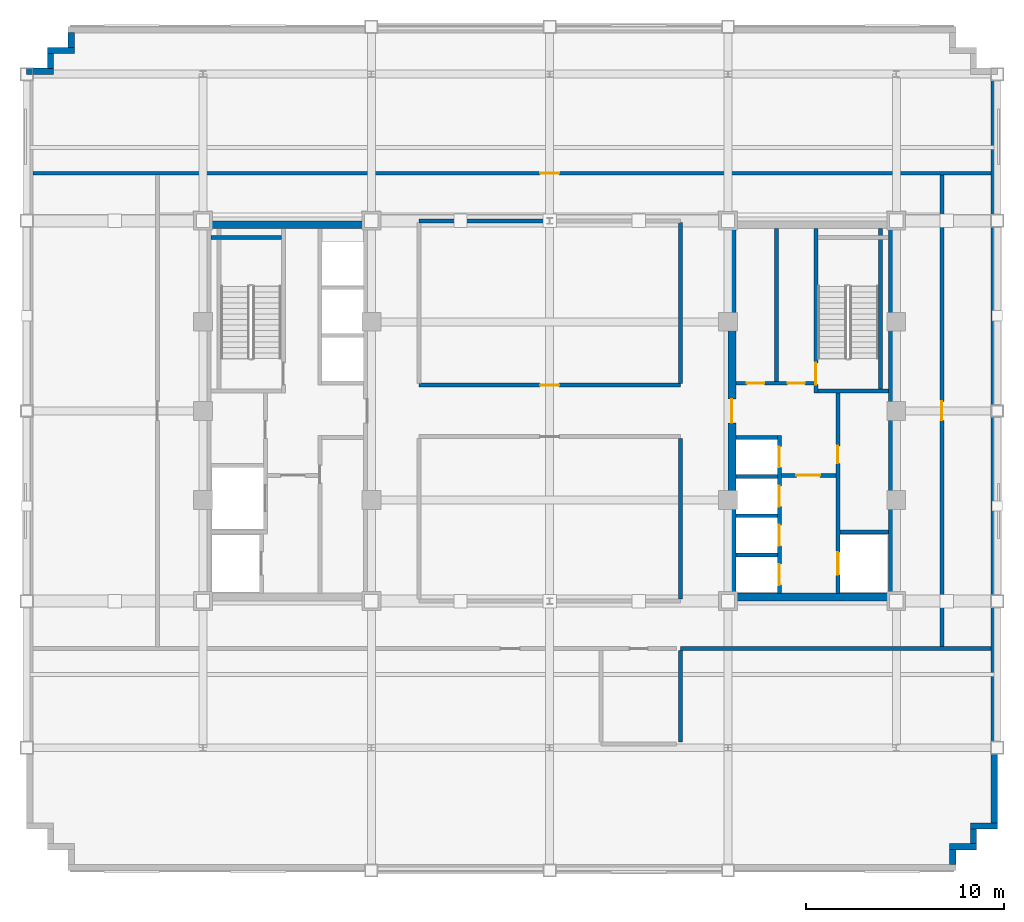
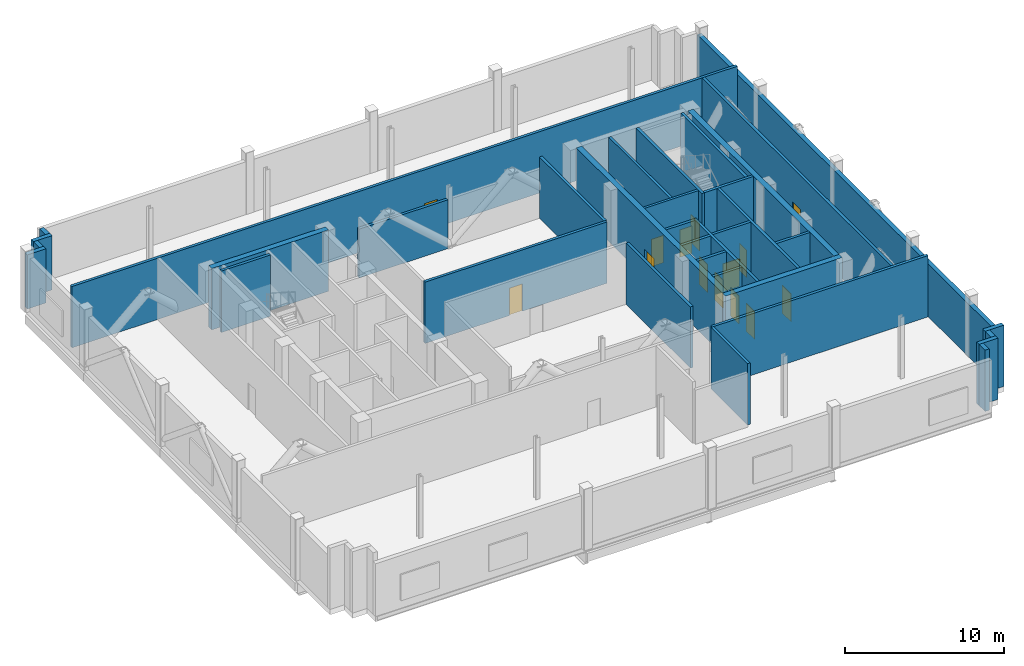
# One storey, part 8 of 13: 35 walls, 14 doors, 14 openings.
"""IFC4 building model written with IfcOpenShell, lengths in metres."""

from ifc_helpers import new_model, si_unit, direction, frame, frame_2d, origin, place, context, subcontext, project, spatial, rectangle, extrude, source, transform, mapped, material, layer, layer_set, type_object, type_shapes, element, fill, save


model = new_model("IFC4")

# Units and contexts
model_context = context("Model", 3, precision=1e-05, world=origin(), true_north=direction((0.0, 1.0)))
body_context = subcontext(model_context, "Body", "Model", "MODEL_VIEW")
ifc_project = project(units=[si_unit("LENGTHUNIT", "METRE"), si_unit("AREAUNIT", "SQUARE_METRE"), si_unit("VOLUMEUNIT", "CUBIC_METRE"), si_unit("PLANEANGLEUNIT", "RADIAN"), si_unit("MASSUNIT", "GRAM", prefix="KILO")], contexts=[model_context])

# Site, building, storey
site_placement = place(None, origin())
site = spatial("IfcSite", under=ifc_project, at=site_placement, CompositionType="ELEMENT")
building_placement = place(site_placement, origin())
building = spatial("IfcBuilding", under=site, at=building_placement, Name="Nuvemarco Arch Tower", CompositionType="ELEMENT")
storey_placement = place(building_placement, frame((0.0, 0.0, 185.89990234375)))
storey = spatial("IfcBuildingStorey", under=building, at=storey_placement, Name="L49", CompositionType="ELEMENT", Elevation=185.89990234375)

# Walls
ifc_material_1 = material(Name="Precast concrete C45/55", Category="concrete")
ifc_layer_1 = layer(ifc_material_1, 0.31005859375, Name="EW-UPP-310")
ifc_layer_set_1 = layer_set([ifc_layer_1], Name="Precast concrete C45/55")
wall_type_1 = type_object("IfcWallType", Name="EW-UPP-310", PredefinedType="STANDARD", material=ifc_layer_set_1)
wall_1_placement = place(storey_placement, frame((20.344970703125, -22.89404296875, 0.0), z_axis=(0.0, 0.0, 1.0), x_axis=(0.0, 1.0, 0.0)))
element("IfcWall", 1, at=wall_1_placement, inside=storey, type_object=wall_type_1, Name="L49 exterior precast facade wall 2", PredefinedType="STANDARD", context=body_context, shape_type="SweptSolid", body=[
    extrude(rectangle(XDim=0.748046875, YDim=0.31005859375, at=frame_2d((0.3740234375, 0.0))), origin(), (0.0, 0.0, 1.0), 4.710205078125),
])
wall_2_placement = place(storey_placement, frame((20.18994140625, -21.9951171875, 0.0), z_axis=(0.0, 0.0, 1.0), x_axis=(1.0, 0.0, 0.0)))
element("IfcWall", 2, at=wall_2_placement, inside=storey, type_object=wall_type_1, Name="L49 exterior precast facade wall 3", PredefinedType="STANDARD", context=body_context, shape_type="SweptSolid", body=[
    extrude(rectangle(XDim=1.360107421875, YDim=0.31005859375, at=frame_2d((0.68017578125, 0.0))), origin(), (0.0, 0.0, 1.0), 4.710205078125),
])
wall_3_placement = place(storey_placement, frame((21.39501953125, -21.843994140625, 0.0), z_axis=(0.0, 0.0, 1.0), x_axis=(0.0, 1.0, 0.0)))
element("IfcWall", 3, at=wall_3_placement, inside=storey, type_object=wall_type_1, Name="L49 exterior precast facade wall 4", PredefinedType="STANDARD", context=body_context, shape_type="SweptSolid", body=[
    extrude(rectangle(XDim=0.748046875, YDim=0.31005859375, at=frame_2d((0.3740234375, 0.0))), origin(), (0.0, 0.0, 1.0), 4.710205078125),
])
wall_4_placement = place(storey_placement, frame((21.239990234375, -20.945068359375, 0.0), z_axis=(0.0, 0.0, 1.0), x_axis=(1.0, 0.0, 0.0)))
element("IfcWall", 4, at=wall_4_placement, inside=storey, type_object=wall_type_1, Name="L49 exterior precast facade wall 5", PredefinedType="STANDARD", context=body_context, shape_type="SweptSolid", body=[
    extrude(rectangle(XDim=1.360107421875, YDim=0.31005859375, at=frame_2d((0.68017578125, 0.0))), origin(), (0.0, 0.0, 1.0), 4.710205078125),
])
wall_5_placement = place(storey_placement, frame((22.445068359375, -20.7939453125, 0.0), z_axis=(0.0, 0.0, 1.0), x_axis=(0.0, 1.0, 0.0)))
element("IfcWall", 5, at=wall_5_placement, inside=storey, type_object=wall_type_1, Name="L49 exterior precast facade wall 6", PredefinedType="STANDARD", context=body_context, shape_type="SweptSolid", body=[
    extrude(rectangle(XDim=37.787841796875, YDim=0.31005859375, at=frame_2d((18.89404296875, 0.0))), origin(), (0.0, 0.0, 1.0), 4.05517578125),
])
wall_6_placement = place(storey_placement, frame((-24.14501953125, 18.345947265625, 0.0), z_axis=(0.0, 0.0, 1.0), x_axis=(0.0, 1.0, 0.0)))
element("IfcWall", 6, at=wall_6_placement, inside=storey, type_object=wall_type_1, Name="L49 exterior precast facade wall 12", PredefinedType="STANDARD", context=body_context, shape_type="SweptSolid", body=[
    extrude(rectangle(XDim=0.748046875, YDim=0.31005859375, at=frame_2d((0.3740234375, 0.0))), origin(), (0.0, 0.0, 1.0), 4.166015625),
])
wall_7_placement = place(storey_placement, frame((-25.35009765625, 18.195068359375, 0.0), z_axis=(0.0, 0.0, 1.0), x_axis=(1.0, 0.0, 0.0)))
element("IfcWall", 7, at=wall_7_placement, inside=storey, type_object=wall_type_1, Name="L49 exterior precast facade wall 13", PredefinedType="STANDARD", context=body_context, shape_type="SweptSolid", body=[
    extrude(rectangle(XDim=1.360107421875, YDim=0.31005859375, at=frame_2d((0.68017578125, 0.0))), origin(), (0.0, 0.0, 1.0), 4.166015625),
])
wall_8_placement = place(storey_placement, frame((-25.195068359375, 17.2958984375, 0.0), z_axis=(0.0, 0.0, 1.0), x_axis=(0.0, 1.0, 0.0)))
element("IfcWall", 8, at=wall_8_placement, inside=storey, type_object=wall_type_1, Name="L49 exterior precast facade wall 14", PredefinedType="STANDARD", context=body_context, shape_type="SweptSolid", body=[
    extrude(rectangle(XDim=0.748046875, YDim=0.31005859375, at=frame_2d((0.3740234375, 0.0))), origin(), (0.0, 0.0, 1.0), 4.166015625),
])
wall_9_placement = place(storey_placement, frame((-26.39990234375, 17.14501953125, 0.0), z_axis=(0.0, 0.0, 1.0), x_axis=(1.0, 0.0, 0.0)))
element("IfcWall", 9, at=wall_9_placement, inside=storey, type_object=wall_type_1, Name="L49 exterior precast facade wall 15", PredefinedType="STANDARD", context=body_context, shape_type="SweptSolid", body=[
    extrude(rectangle(XDim=1.35986328125, YDim=0.31005859375, at=frame_2d((0.679931640625, 0.0))), origin(), (0.0, 0.0, 1.0), 4.166015625),
])
ifc_material_2 = material(Name="Concrete C60/75", Category="concrete")
ifc_layer_2 = layer(ifc_material_2, 0.39990234375, Name="WL-CORE-400")
ifc_layer_set_2 = layer_set([ifc_layer_2], Name="Concrete C60/75")
wall_type_2 = type_object("IfcWallType", Name="WL-CORE-400", PredefinedType="SHEAR", material=ifc_layer_set_2)
for number, where, z_axis, x_axis, name in (
    (10, (-17.5, 9.39990234375, 0.0), (0.0, 0.0, 1.0), (1.0, 0.0, 0.0), "L49 W-core shear wall N"),
    (11, (9.0, -9.39990234375, 0.0), (0.0, 0.0, 1.0), (1.0, 0.0, 0.0), "L49 E-core shear wall S"),
):
    element("IfcWall", number, at=place(storey_placement, frame(where, z_axis=z_axis, x_axis=x_axis)), inside=storey, type_object=wall_type_2, Name=name, PredefinedType="SHEAR", context=body_context, shape_type="SweptSolid", body=[
        extrude(rectangle(XDim=8.5, YDim=0.39990234375, at=frame_2d((4.25, 0.0))), origin(), (0.0, 0.0, 1.0), 4.72021484375),
    ])

# Wall, opening, door
wall_10_placement = place(storey_placement, frame((9.199951171875, -9.205078125, 0.0), z_axis=(0.0, 0.0, 1.0), x_axis=(0.0, 1.0, 0.0)))
wall_10 = element("IfcWall", 12, at=wall_10_placement, inside=storey, type_object=wall_type_2, Name="L49 E-core shear wall W", PredefinedType="SHEAR", context=body_context, shape_type="SweptSolid", body=[
    extrude(rectangle(XDim=18.41015625, YDim=0.39990234375, at=frame_2d((9.205078125, 0.0))), origin(), (0.0, 0.0, 1.0), 4.72021484375),
])
opening_1_placement = place(wall_10_placement, frame((8.60498046875, 0.0, 0.0)))
opening_1 = element("IfcOpeningElement", 13, at=opening_1_placement, cuts=wall_10, Name="Opening FD-2", PredefinedType="OPENING", context=body_context, shape_type="SweptSolid", body=[
    extrude(rectangle(XDim=1.199951171875, YDim=2.14990234375, at=frame_2d((0.60009765625, 1.074951171875))), frame((0.0, 0.2099609375, 0.0), z_axis=(0.0, -1.0, 0.0), x_axis=(1.0, 0.0, 0.0)), (0.0, 0.0, 1.0), 0.419921875),
])
ifc_material_3 = material(Name="Anodised steel fire door", Category="steel")
door_type_1 = type_object("IfcDoorType", Name="DR-FFLOB-FD", OperationType="NOTDEFINED", PredefinedType="DOOR", material=ifc_material_3)
shared_shape_1 = source(origin(), body_context, "Body", "SweptSolid", [
    extrude(rectangle(XDim=1.199951171875, YDim=2.14990234375, at=frame_2d((0.60009765625, 1.074951171875))), frame((0.0, 0.02490234375, 0.0), z_axis=(0.0, -1.0, 0.0), x_axis=(1.0, 0.0, 0.0)), (0.0, 0.0, 1.0), 0.050048828125),
])
type_shapes(door_type_1, [shared_shape_1])
door_1_placement = place(opening_1_placement, origin())
door_1 = element("IfcDoor", 14, at=door_1_placement, inside=storey, type_object=door_type_1, Name="L49 door FD-L49-ECORE-W", OperationType="SINGLE_SWING_LEFT", OverallHeight=2.14990234375, OverallWidth=1.199951171875, PredefinedType="DOOR", context=body_context, shape_type="MappedRepresentation", body=[
    mapped(shared_shape_1, transform((0.0, 0.0, 0.0), scale=1.0)),
])
fill(opening_1, door_1)

# Wall
wall_11_placement = place(storey_placement, frame((17.300048828125, -9.205078125, 0.0), z_axis=(0.0, 0.0, 1.0), x_axis=(0.0, 1.0, 0.0)))
element("IfcWall", 15, at=wall_11_placement, inside=storey, type_object=wall_type_2, Name="L49 E-core shear wall E", PredefinedType="SHEAR", context=body_context, shape_type="SweptSolid", body=[
    extrude(rectangle(XDim=18.41015625, YDim=0.39990234375, at=frame_2d((9.205078125, 0.0))), origin(), (0.0, 0.0, 1.0), 4.72021484375),
])

# Wall, openings, doors
ifc_material_4 = material(Name="Fire-rated gypsum drywall partition")
ifc_layer_3 = layer(ifc_material_4, 0.179931640625, Name="WL-CORR-180")
ifc_layer_set_3 = layer_set([ifc_layer_3], Name="Fire-rated gypsum drywall partition")
wall_type_3 = type_object("IfcWallType", Name="WL-CORR-180", PredefinedType="PARTITIONING", material=ifc_layer_set_3)
wall_12_placement = place(storey_placement, frame((9.39501953125, 1.39990234375, 0.0), z_axis=(0.0, 0.0, 1.0), x_axis=(1.0, 0.0, 0.0)))
wall_12 = element("IfcWall", 16, at=wall_12_placement, inside=storey, type_object=wall_type_3, Name="L49 interior wall IW-L49-EK-S", PredefinedType="PARTITIONING", context=body_context, shape_type="SweptSolid", body=[
    extrude(rectangle(XDim=3.949951171875, YDim=0.179931640625, at=frame_2d((1.97509765625, 0.0))), origin(), (0.0, 0.0, 1.0), 4.710205078125),
])
opening_2_placement = place(wall_12_placement, frame((0.56494140625, 0.0, 0.0)))
opening_2 = element("IfcOpeningElement", 17, at=opening_2_placement, cuts=wall_12, Name="Opening FD-4", PredefinedType="OPENING", context=body_context, shape_type="SweptSolid", body=[
    extrude(rectangle(XDim=0.8798828125, YDim=2.10009765625, at=frame_2d((0.43994140625, 1.050048828125))), frame((0.0, 0.099853515625, 0.0), z_axis=(0.0, -1.0, 0.0), x_axis=(1.0, 0.0, 0.0)), (0.0, 0.0, 1.0), 0.199951171875),
])
opening_3_placement = place(wall_12_placement, frame((2.614990234375, 0.0, 0.0)))
opening_3 = element("IfcOpeningElement", 18, at=opening_3_placement, cuts=wall_12, Name="Opening FD-4", PredefinedType="OPENING", context=body_context, shape_type="SweptSolid", body=[
    extrude(rectangle(XDim=0.8798828125, YDim=2.10009765625, at=frame_2d((0.43994140625, 1.050048828125))), frame((0.0, 0.099853515625, 0.0), z_axis=(0.0, -1.0, 0.0), x_axis=(1.0, 0.0, 0.0)), (0.0, 0.0, 1.0), 0.199951171875),
])
door_type_2 = type_object("IfcDoorType", Name="DR-RISER-FD", OperationType="NOTDEFINED", PredefinedType="DOOR", material=ifc_material_3)
shared_shape_2 = source(origin(), body_context, "Body", "SweptSolid", [
    extrude(rectangle(XDim=0.8798828125, YDim=2.10009765625, at=frame_2d((0.43994140625, 1.050048828125))), frame((0.0, 0.02490234375, 0.0), z_axis=(0.0, -1.0, 0.0), x_axis=(1.0, 0.0, 0.0)), (0.0, 0.0, 1.0), 0.050048828125),
])
type_shapes(door_type_2, [shared_shape_2])
door_2_placement = place(opening_2_placement, origin())
door_2 = element("IfcDoor", 19, at=door_2_placement, inside=storey, type_object=door_type_2, Name="L49 door FD-L49-EK2A", OperationType="SINGLE_SWING_RIGHT", OverallHeight=2.10009765625, OverallWidth=0.8798828125, PredefinedType="DOOR", context=body_context, shape_type="MappedRepresentation", body=[
    mapped(shared_shape_2, transform((0.0, 0.0, 0.0), scale=1.0)),
])
fill(opening_2, door_2)
door_3_placement = place(opening_3_placement, origin())
door_3 = element("IfcDoor", 20, at=door_3_placement, inside=storey, type_object=door_type_2, Name="L49 door FD-L49-EK2B", OperationType="SINGLE_SWING_LEFT", OverallHeight=2.10009765625, OverallWidth=0.8798828125, PredefinedType="DOOR", context=body_context, shape_type="MappedRepresentation", body=[
    mapped(shared_shape_2, transform((0.0, 0.0, 0.0), scale=1.0)),
])
fill(opening_3, door_3)

# Walls
wall_13_placement = place(storey_placement, frame((11.449951171875, 1.489990234375, 0.0), z_axis=(0.0, 0.0, 1.0), x_axis=(0.0, 1.0, 0.0)))
element("IfcWall", 21, at=wall_13_placement, inside=storey, type_object=wall_type_3, Name="L49 interior wall IW-L49-EK2", PredefinedType="PARTITIONING", context=body_context, shape_type="SweptSolid", body=[
    extrude(rectangle(XDim=7.715087890625, YDim=0.179931640625, at=frame_2d((3.857421875, 0.0))), origin(), (0.0, 0.0, 1.0), 4.710205078125),
])
ifc_layer_4 = layer(ifc_material_1, 0.199951171875, Name="WL-PLANT-200")
ifc_layer_set_4 = layer_set([ifc_layer_4], Name="Precast concrete C45/55")
wall_type_4 = type_object("IfcWallType", Name="WL-PLANT-200", PredefinedType="STANDARD", material=ifc_layer_set_4)
wall_14_placement = place(storey_placement, frame((6.60009765625, -12.0, 0.0), z_axis=(0.0, 0.0, 1.0), x_axis=(1.0, 0.0, 0.0)))
element("IfcWall", 22, at=wall_14_placement, inside=storey, type_object=wall_type_4, Name="L49 interior wall IW-L49-003", PredefinedType="STANDARD", context=body_context, shape_type="SweptSolid", body=[
    extrude(rectangle(XDim=15.68994140625, YDim=0.199951171875, at=frame_2d((7.844970703125, 0.0))), origin(), (0.0, 0.0, 1.0), 4.710205078125),
])

# Wall, opening, door
wall_15_placement = place(storey_placement, frame((-6.60009765625, 1.300048828125, 0.0), z_axis=(0.0, 0.0, 1.0), x_axis=(1.0, 0.0, 0.0)))
wall_15 = element("IfcWall", 23, at=wall_15_placement, inside=storey, type_object=wall_type_4, Name="L49 interior wall IW-L49-007", PredefinedType="STANDARD", context=body_context, shape_type="SweptSolid", body=[
    extrude(rectangle(XDim=13.2001953125, YDim=0.199951171875, at=frame_2d((6.60009765625, 0.0))), origin(), (0.0, 0.0, 1.0), 4.710205078125),
])
opening_4_placement = place(wall_15_placement, frame((6.1201171875, 0.0, 0.0)))
opening_4 = element("IfcOpeningElement", 24, at=opening_4_placement, cuts=wall_15, Name="Opening FD-5", PredefinedType="OPENING", context=body_context, shape_type="SweptSolid", body=[
    extrude(rectangle(XDim=0.9599609375, YDim=2.10009765625, at=frame_2d((0.47998046875, 1.050048828125))), frame((0.0, 0.10986328125, 0.0), z_axis=(0.0, -1.0, 0.0), x_axis=(1.0, 0.0, 0.0)), (0.0, 0.0, 1.0), 0.219970703125),
])
ifc_material_5 = material(Name="Timber fire door", Category="wood")
door_type_3 = type_object("IfcDoorType", Name="DR-CORR-FD", OperationType="NOTDEFINED", PredefinedType="DOOR", material=ifc_material_5)
shared_shape_3 = source(origin(), body_context, "Body", "SweptSolid", [
    extrude(rectangle(XDim=0.9599609375, YDim=2.10009765625, at=frame_2d((0.47998046875, 1.050048828125))), frame((0.0, 0.02490234375, 0.0), z_axis=(0.0, -1.0, 0.0), x_axis=(1.0, 0.0, 0.0)), (0.0, 0.0, 1.0), 0.050048828125),
])
type_shapes(door_type_3, [shared_shape_3])
door_4_placement = place(opening_4_placement, origin())
door_4 = element("IfcDoor", 25, at=door_4_placement, inside=storey, type_object=door_type_3, Name="L49 door DR-L49-PL_ELEC", OperationType="SINGLE_SWING_RIGHT", OverallHeight=2.10009765625, OverallWidth=0.9599609375, PredefinedType="DOOR", context=body_context, shape_type="MappedRepresentation", body=[
    mapped(shared_shape_3, transform((0.0, 0.0, 0.0), scale=1.0)),
])
fill(opening_4, door_4)

# Wall
wall_16_placement = place(storey_placement, frame((-6.60009765625, 9.60009765625, 0.0), z_axis=(0.0, 0.0, 1.0), x_axis=(1.0, 0.0, 0.0)))
element("IfcWall", 26, at=wall_16_placement, inside=storey, type_object=wall_type_4, Name="L49 interior wall IW-L49-008", PredefinedType="STANDARD", context=body_context, shape_type="SweptSolid", body=[
    extrude(rectangle(XDim=6.44921875, YDim=0.199951171875, at=frame_2d((3.224609375, 0.0))), origin(), (0.0, 0.0, 1.0), 3.755126953125),
])

# Wall, opening, door
wall_17_placement = place(storey_placement, frame((-26.090087890625, 12.0, 0.0), z_axis=(0.0, 0.0, 1.0), x_axis=(1.0, 0.0, 0.0)))
wall_17 = element("IfcWall", 27, at=wall_17_placement, inside=storey, type_object=wall_type_4, Name="L49 interior wall IW-L49-010", PredefinedType="STANDARD", context=body_context, shape_type="SweptSolid", body=[
    extrude(rectangle(XDim=48.380126953125, YDim=0.199951171875, at=frame_2d((24.18994140625, 0.0))), origin(), (0.0, 0.0, 1.0), 4.710205078125),
])
opening_5_placement = place(wall_17_placement, frame((25.610107421875, 0.0, 0.0)))
opening_5 = element("IfcOpeningElement", 28, at=opening_5_placement, cuts=wall_17, Name="Opening FD-5", PredefinedType="OPENING", context=body_context, shape_type="SweptSolid", body=[
    extrude(rectangle(XDim=0.9599609375, YDim=2.10009765625, at=frame_2d((0.47998046875, 1.050048828125))), frame((0.0, 0.10986328125, 0.0), z_axis=(0.0, -1.0, 0.0), x_axis=(1.0, 0.0, 0.0)), (0.0, 0.0, 1.0), 0.219970703125),
])
door_5_placement = place(opening_5_placement, origin())
door_5 = element("IfcDoor", 29, at=door_5_placement, inside=storey, type_object=door_type_3, Name="L49 door DR-L49-REF_NORTH", OperationType="SINGLE_SWING_RIGHT", OverallHeight=2.10009765625, OverallWidth=0.9599609375, PredefinedType="DOOR", context=body_context, shape_type="MappedRepresentation", body=[
    mapped(shared_shape_3, transform((0.0, 0.0, 0.0), scale=1.0)),
])
fill(opening_5, door_5)

# Walls
wall_18_placement = place(storey_placement, frame((6.60009765625, -16.7041015625, 0.0), z_axis=(0.0, 0.0, 1.0), x_axis=(0.0, 1.0, 0.0)))
element("IfcWall", 30, at=wall_18_placement, inside=storey, type_object=wall_type_4, Name="L49 interior wall IW-L49-015", PredefinedType="STANDARD", context=body_context, shape_type="SweptSolid", body=[
    extrude(rectangle(XDim=4.608154296875, YDim=0.199951171875, at=frame_2d((2.30419921875, 0.0))), origin(), (0.0, 0.0, 1.0), 4.710205078125),
])
for number, where, z_axis, x_axis, name in (
    (31, (6.60009765625, -9.50390625, 0.0), (0.0, 0.0, 1.0), (0.0, 1.0, 0.0), "L49 interior wall IW-L49-016"),
    (32, (6.60009765625, 1.39599609375, 0.0), (0.0, 0.0, 1.0), (0.0, 1.0, 0.0), "L49 interior wall IW-L49-017"),
):
    element("IfcWall", number, at=place(storey_placement, frame(where, z_axis=z_axis, x_axis=x_axis)), inside=storey, type_object=wall_type_4, Name=name, PredefinedType="STANDARD", context=body_context, shape_type="SweptSolid", body=[
        extrude(rectangle(XDim=8.10791015625, YDim=0.199951171875, at=frame_2d((4.053955078125, 0.0))), origin(), (0.0, 0.0, 1.0), 4.710205078125),
    ])

# Wall, opening, door
wall_19_placement = place(storey_placement, frame((19.800048828125, -11.904052734375, 0.0), z_axis=(0.0, 0.0, 1.0), x_axis=(0.0, 1.0, 0.0)))
wall_19 = element("IfcWall", 33, at=wall_19_placement, inside=storey, type_object=wall_type_4, Name="L49 interior wall IW-L49-018", PredefinedType="STANDARD", context=body_context, shape_type="SweptSolid", body=[
    extrude(rectangle(XDim=23.80810546875, YDim=0.199951171875, at=frame_2d((11.904052734375, 0.0))), origin(), (0.0, 0.0, 1.0), 4.710205078125),
])
opening_6_placement = place(wall_19_placement, frame((11.424072265625, 0.0, 0.0)))
opening_6 = element("IfcOpeningElement", 34, at=opening_6_placement, cuts=wall_19, Name="Opening FD-5", PredefinedType="OPENING", context=body_context, shape_type="SweptSolid", body=[
    extrude(rectangle(XDim=0.9599609375, YDim=2.10009765625, at=frame_2d((0.47998046875, 1.050048828125))), frame((0.0, 0.10986328125, 0.0), z_axis=(0.0, -1.0, 0.0), x_axis=(1.0, 0.0, 0.0)), (0.0, 0.0, 1.0), 0.219970703125),
])
door_6_placement = place(opening_6_placement, origin())
door_6 = element("IfcDoor", 35, at=door_6_placement, inside=storey, type_object=door_type_3, Name="L49 door DR-L49-PL_CHIL", OperationType="SINGLE_SWING_LEFT", OverallHeight=2.10009765625, OverallWidth=0.9599609375, PredefinedType="DOOR", context=body_context, shape_type="MappedRepresentation", body=[
    mapped(shared_shape_3, transform((0.0, 0.0, 0.0), scale=1.0)),
])
fill(opening_6, door_6)

# Wall
ifc_material_6 = material(Name="Concrete C50/60", Category="concrete")
ifc_layer_5 = layer(ifc_material_6, 0.199951171875, Name="WL-SHAFT-220")
ifc_layer_set_5 = layer_set([ifc_layer_5], Name="Concrete C50/60")
wall_type_5 = type_object("IfcWallType", Name="WL-SHAFT-220", PredefinedType="SHEAR", material=ifc_layer_set_5)
wall_20_placement = place(storey_placement, frame((-17.10498046875, 8.75, 0.0), z_axis=(0.0, 0.0, 1.0), x_axis=(1.0, 0.0, 0.0)))
element("IfcWall", 36, at=wall_20_placement, inside=storey, type_object=wall_type_5, Name="L49 structural shaft wall SW-L49-W-ST1N", PredefinedType="SHEAR", context=body_context, shape_type="SweptSolid", body=[
    extrude(rectangle(XDim=3.570068359375, YDim=0.199951171875, at=frame_2d((1.78515625, 0.0))), origin(), (0.0, 0.0, 1.0), 4.72021484375),
])

# Wall, opening, door
wall_21_placement = place(storey_placement, frame((13.43994140625, 0.89990234375, 0.0), z_axis=(0.0, 0.0, 1.0), x_axis=(0.0, 1.0, 0.0)))
wall_21 = element("IfcWall", 37, at=wall_21_placement, inside=storey, type_object=wall_type_5, Name="L49 structural shaft wall SW-L49-E-ST2W", PredefinedType="SHEAR", context=body_context, shape_type="SweptSolid", body=[
    extrude(rectangle(XDim=8.30517578125, YDim=0.199951171875, at=frame_2d((4.152587890625, 0.0))), origin(), (0.0, 0.0, 1.0), 4.72021484375),
])
opening_7_placement = place(wall_21_placement, frame((0.429931640625, 0.0, 0.0)))
opening_7 = element("IfcOpeningElement", 38, at=opening_7_placement, cuts=wall_21, Name="Opening FD-1", PredefinedType="OPENING", context=body_context, shape_type="SweptSolid", body=[
    extrude(rectangle(XDim=1.10009765625, YDim=2.14990234375, at=frame_2d((0.550048828125, 1.074951171875))), frame((0.0, 0.10986328125, 0.0), z_axis=(0.0, -1.0, 0.0), x_axis=(1.0, 0.0, 0.0)), (0.0, 0.0, 1.0), 0.219970703125),
])
door_type_4 = type_object("IfcDoorType", Name="DR-STAIR-FD", OperationType="NOTDEFINED", PredefinedType="DOOR", material=ifc_material_3)
shared_shape_4 = source(origin(), body_context, "Body", "SweptSolid", [
    extrude(rectangle(XDim=1.10009765625, YDim=2.14990234375, at=frame_2d((0.550048828125, 1.074951171875))), frame((0.0, 0.02490234375, 0.0), z_axis=(0.0, -1.0, 0.0), x_axis=(1.0, 0.0, 0.0)), (0.0, 0.0, 1.0), 0.050048828125),
])
type_shapes(door_type_4, [shared_shape_4])
door_7_placement = place(opening_7_placement, origin())
door_7 = element("IfcDoor", 39, at=door_7_placement, inside=storey, type_object=door_type_4, Name="L49 door FD-L49-ST2", OperationType="SINGLE_SWING_RIGHT", OverallHeight=2.14990234375, OverallWidth=1.10009765625, PredefinedType="DOOR", context=body_context, shape_type="MappedRepresentation", body=[
    mapped(shared_shape_4, transform((0.0, 0.0, 0.0), scale=1.0)),
])
fill(opening_7, door_7)

# Walls
wall_22_placement = place(storey_placement, frame((13.534912109375, 1.0, 0.0), z_axis=(0.0, 0.0, 1.0), x_axis=(1.0, 0.0, 0.0)))
element("IfcWall", 40, at=wall_22_placement, inside=storey, type_object=wall_type_5, Name="L49 structural shaft wall SW-L49-E-ST2S", PredefinedType="SHEAR", context=body_context, shape_type="SweptSolid", body=[
    extrude(rectangle(XDim=3.570068359375, YDim=0.199951171875, at=frame_2d((1.78515625, 0.0))), origin(), (0.0, 0.0, 1.0), 4.72021484375),
])
wall_23_placement = place(storey_placement, frame((16.699951171875, 1.094970703125, 0.0), z_axis=(0.0, 0.0, 1.0), x_axis=(0.0, 1.0, 0.0)))
element("IfcWall", 41, at=wall_23_placement, inside=storey, type_object=wall_type_5, Name="L49 structural shaft wall SW-L49-E-ST2E", PredefinedType="SHEAR", context=body_context, shape_type="SweptSolid", body=[
    extrude(rectangle(XDim=8.110107421875, YDim=0.199951171875, at=frame_2d((4.05517578125, 0.0))), origin(), (0.0, 0.0, 1.0), 4.72021484375),
])

# Wall, openings, doors
wall_24_placement = place(storey_placement, frame((14.550048828125, -9.205078125, 0.0), z_axis=(0.0, 0.0, 1.0), x_axis=(0.0, 1.0, 0.0)))
wall_24 = element("IfcWall", 42, at=wall_24_placement, inside=storey, type_object=wall_type_5, Name="L49 structural shaft wall SW-L49-E-SHW", PredefinedType="SHEAR", context=body_context, shape_type="SweptSolid", body=[
    extrude(rectangle(XDim=10.110107421875, YDim=0.199951171875, at=frame_2d((5.05517578125, 0.0))), origin(), (0.0, 0.0, 1.0), 4.72021484375),
])
opening_8_placement = place(wall_24_placement, frame((6.56494140625, 0.0, 0.0)))
opening_8 = element("IfcOpeningElement", 43, at=opening_8_placement, cuts=wall_24, Name="Opening FD-4", PredefinedType="OPENING", context=body_context, shape_type="SweptSolid", body=[
    extrude(rectangle(XDim=0.8798828125, YDim=2.10009765625, at=frame_2d((0.43994140625, 1.050048828125))), frame((0.0, 0.10986328125, 0.0), z_axis=(0.0, -1.0, 0.0), x_axis=(1.0, 0.0, 0.0)), (0.0, 0.0, 1.0), 0.219970703125),
])
opening_9_placement = place(wall_24_placement, frame((0.929931640625, 0.0, 0.0)))
opening_9 = element("IfcOpeningElement", 44, at=opening_9_placement, cuts=wall_24, Name="Opening LD-2", PredefinedType="OPENING", context=body_context, shape_type="SweptSolid", body=[
    extrude(rectangle(XDim=1.14990234375, YDim=2.14990234375, at=frame_2d((0.574951171875, 1.074951171875))), frame((0.0, 0.10986328125, 0.0), z_axis=(0.0, -1.0, 0.0), x_axis=(1.0, 0.0, 0.0)), (0.0, 0.0, 1.0), 0.219970703125),
])
door_8_placement = place(opening_8_placement, origin())
door_8 = element("IfcDoor", 45, at=door_8_placement, inside=storey, type_object=door_type_2, Name="L49 door FD-L49-ERIS", OperationType="SINGLE_SWING_RIGHT", OverallHeight=2.10009765625, OverallWidth=0.8798828125, PredefinedType="DOOR", context=body_context, shape_type="MappedRepresentation", body=[
    mapped(shared_shape_2, transform((0.0, 0.0, 0.0), scale=1.0)),
])
fill(opening_8, door_8)
ifc_material_7 = material(Name="Stainless steel lift door", Category="steel")
door_type_5 = type_object("IfcDoorType", Name="DR-LIFT-FIRE", OperationType="DOUBLE_DOOR_SLIDING", PredefinedType="DOOR", material=ifc_material_7)
shared_shape_5 = source(origin(), body_context, "Body", "SweptSolid", [
    extrude(rectangle(XDim=1.14990234375, YDim=2.14990234375, at=frame_2d((0.574951171875, 1.074951171875))), frame((0.0, 0.02490234375, 0.0), z_axis=(0.0, -1.0, 0.0), x_axis=(1.0, 0.0, 0.0)), (0.0, 0.0, 1.0), 0.050048828125),
])
type_shapes(door_type_5, [shared_shape_5])
door_9_placement = place(opening_9_placement, origin())
door_9 = element("IfcDoor", 46, at=door_9_placement, inside=storey, type_object=door_type_5, Name="L49 Lift landing sliding door FFL-2", OperationType="DOUBLE_DOOR_SLIDING", OverallHeight=2.14990234375, OverallWidth=1.14990234375, PredefinedType="DOOR", context=body_context, shape_type="MappedRepresentation", body=[
    mapped(shared_shape_5, transform((0.0, 0.0, 0.0), scale=1.0)),
])
fill(opening_9, door_9)

# Wall
wall_25_placement = place(storey_placement, frame((14.64501953125, -6.10009765625, 0.0), z_axis=(0.0, 0.0, 1.0), x_axis=(1.0, 0.0, 0.0)))
element("IfcWall", 47, at=wall_25_placement, inside=storey, type_object=wall_type_5, Name="L49 structural shaft wall SW-L49-E-SH1", PredefinedType="SHEAR", context=body_context, shape_type="SweptSolid", body=[
    extrude(rectangle(XDim=2.4599609375, YDim=0.199951171875, at=frame_2d((1.22998046875, 0.0))), origin(), (0.0, 0.0, 1.0), 4.72021484375),
])

# Wall, openings, doors
wall_26_placement = place(storey_placement, frame((11.60009765625, -9.205078125, 0.0), z_axis=(0.0, 0.0, 1.0), x_axis=(0.0, 1.0, 0.0)))
wall_26 = element("IfcWall", 48, at=wall_26_placement, inside=storey, type_object=wall_type_5, Name="L49 structural shaft wall SW-L49-E-PME", PredefinedType="SHEAR", context=body_context, shape_type="SweptSolid", body=[
    extrude(rectangle(XDim=7.97509765625, YDim=0.199951171875, at=frame_2d((3.987548828125, 0.0))), origin(), (0.0, 0.0, 1.0), 4.72021484375),
])
opening_10_placement = place(wall_26_placement, frame((0.419921875, 0.0, 0.0)))
opening_10 = element("IfcOpeningElement", 49, at=opening_10_placement, cuts=wall_26, Name="Opening LD-1", PredefinedType="OPENING", context=body_context, shape_type="SweptSolid", body=[
    extrude(rectangle(XDim=1.050048828125, YDim=2.14990234375, at=frame_2d((0.52490234375, 1.074951171875))), frame((0.0, 0.10986328125, 0.0), z_axis=(0.0, -1.0, 0.0), x_axis=(1.0, 0.0, 0.0)), (0.0, 0.0, 1.0), 0.219970703125),
])
opening_11_placement = place(wall_26_placement, frame((2.39990234375, 0.0, 0.0)))
opening_11 = element("IfcOpeningElement", 50, at=opening_11_placement, cuts=wall_26, Name="Opening LD-1", PredefinedType="OPENING", context=body_context, shape_type="SweptSolid", body=[
    extrude(rectangle(XDim=1.050048828125, YDim=2.14990234375, at=frame_2d((0.52490234375, 1.074951171875))), frame((0.0, 0.10986328125, 0.0), z_axis=(0.0, -1.0, 0.0), x_axis=(1.0, 0.0, 0.0)), (0.0, 0.0, 1.0), 0.219970703125),
])
opening_12_placement = place(wall_26_placement, frame((4.3798828125, 0.0, 0.0)))
opening_12 = element("IfcOpeningElement", 51, at=opening_12_placement, cuts=wall_26, Name="Opening LD-1", PredefinedType="OPENING", context=body_context, shape_type="SweptSolid", body=[
    extrude(rectangle(XDim=1.050048828125, YDim=2.14990234375, at=frame_2d((0.52490234375, 1.074951171875))), frame((0.0, 0.10986328125, 0.0), z_axis=(0.0, -1.0, 0.0), x_axis=(1.0, 0.0, 0.0)), (0.0, 0.0, 1.0), 0.219970703125),
])
opening_13_placement = place(wall_26_placement, frame((6.360107421875, 0.0, 0.0)))
opening_13 = element("IfcOpeningElement", 52, at=opening_13_placement, cuts=wall_26, Name="Opening LD-1", PredefinedType="OPENING", context=body_context, shape_type="SweptSolid", body=[
    extrude(rectangle(XDim=1.050048828125, YDim=2.14990234375, at=frame_2d((0.52490234375, 1.074951171875))), frame((0.0, 0.10986328125, 0.0), z_axis=(0.0, -1.0, 0.0), x_axis=(1.0, 0.0, 0.0)), (0.0, 0.0, 1.0), 0.219970703125),
])
door_type_6 = type_object("IfcDoorType", Name="DR-LIFT-PASS", OperationType="DOUBLE_DOOR_SLIDING", PredefinedType="DOOR", material=ifc_material_7)
shared_shape_6 = source(origin(), body_context, "Body", "SweptSolid", [
    extrude(rectangle(XDim=1.050048828125, YDim=2.14990234375, at=frame_2d((0.52490234375, 1.074951171875))), frame((0.0, 0.02490234375, 0.0), z_axis=(0.0, -1.0, 0.0), x_axis=(1.0, 0.0, 0.0)), (0.0, 0.0, 1.0), 0.050048828125),
])
type_shapes(door_type_6, [shared_shape_6])
door_10_placement = place(opening_10_placement, origin())
door_10 = element("IfcDoor", 53, at=door_10_placement, inside=storey, type_object=door_type_6, Name="L49 Lift landing sliding door PM-1", OperationType="DOUBLE_DOOR_SLIDING", OverallHeight=2.14990234375, OverallWidth=1.050048828125, PredefinedType="DOOR", context=body_context, shape_type="MappedRepresentation", body=[
    mapped(shared_shape_6, transform((0.0, 0.0, 0.0), scale=1.0)),
])
fill(opening_10, door_10)
door_11_placement = place(opening_11_placement, origin())
door_11 = element("IfcDoor", 54, at=door_11_placement, inside=storey, type_object=door_type_6, Name="L49 Lift landing sliding door PM-2", OperationType="DOUBLE_DOOR_SLIDING", OverallHeight=2.14990234375, OverallWidth=1.050048828125, PredefinedType="DOOR", context=body_context, shape_type="MappedRepresentation", body=[
    mapped(shared_shape_6, transform((0.0, 0.0, 0.0), scale=1.0)),
])
fill(opening_11, door_11)
door_12_placement = place(opening_12_placement, origin())
door_12 = element("IfcDoor", 55, at=door_12_placement, inside=storey, type_object=door_type_6, Name="L49 Lift landing sliding door PM-3", OperationType="DOUBLE_DOOR_SLIDING", OverallHeight=2.14990234375, OverallWidth=1.050048828125, PredefinedType="DOOR", context=body_context, shape_type="MappedRepresentation", body=[
    mapped(shared_shape_6, transform((0.0, 0.0, 0.0), scale=1.0)),
])
fill(opening_12, door_12)
door_13_placement = place(opening_13_placement, origin())
door_13 = element("IfcDoor", 56, at=door_13_placement, inside=storey, type_object=door_type_6, Name="L49 Lift landing sliding door PM-4", OperationType="DOUBLE_DOOR_SLIDING", OverallHeight=2.14990234375, OverallWidth=1.050048828125, PredefinedType="DOOR", context=body_context, shape_type="MappedRepresentation", body=[
    mapped(shared_shape_6, transform((0.0, 0.0, 0.0), scale=1.0)),
])
fill(opening_13, door_13)

# Wall, opening, door
wall_27_placement = place(storey_placement, frame((11.695068359375, -3.25, 0.0), z_axis=(0.0, 0.0, 1.0), x_axis=(1.0, 0.0, 0.0)))
wall_27 = element("IfcWall", 57, at=wall_27_placement, inside=storey, type_object=wall_type_5, Name="L49 structural shaft wall SW-L49-E-FFN", PredefinedType="SHEAR", context=body_context, shape_type="SweptSolid", body=[
    extrude(rectangle(XDim=2.760009765625, YDim=0.199951171875, at=frame_2d((1.3798828125, 0.0))), origin(), (0.0, 0.0, 1.0), 4.72021484375),
])
opening_14_placement = place(wall_27_placement, frame((0.7548828125, 0.0, 0.0)))
opening_14 = element("IfcOpeningElement", 58, at=opening_14_placement, cuts=wall_27, Name="Opening FD-2", PredefinedType="OPENING", context=body_context, shape_type="SweptSolid", body=[
    extrude(rectangle(XDim=1.199951171875, YDim=2.14990234375, at=frame_2d((0.60009765625, 1.074951171875))), frame((0.0, 0.10986328125, 0.0), z_axis=(0.0, -1.0, 0.0), x_axis=(1.0, 0.0, 0.0)), (0.0, 0.0, 1.0), 0.219970703125),
])
door_14_placement = place(opening_14_placement, origin())
door_14 = element("IfcDoor", 59, at=door_14_placement, inside=storey, type_object=door_type_1, Name="L49 door FD-L49-EFF2", OperationType="SINGLE_SWING_RIGHT", OverallHeight=2.14990234375, OverallWidth=1.199951171875, PredefinedType="DOOR", context=body_context, shape_type="MappedRepresentation", body=[
    mapped(shared_shape_1, transform((0.0, 0.0, 0.0), scale=1.0)),
])
fill(opening_14, door_14)

# Walls
for number, where, z_axis, x_axis, name in (
    (60, (9.39501953125, -7.27001953125, 0.0), (0.0, 0.0, 1.0), (1.0, 0.0, 0.0), "L49 structural shaft wall SW-L49-E-PMD1"),
    (61, (9.39501953125, -5.2900390625, 0.0), (0.0, 0.0, 1.0), (1.0, 0.0, 0.0), "L49 structural shaft wall SW-L49-E-PMD2"),
    (62, (9.39501953125, -3.31005859375, 0.0), (0.0, 0.0, 1.0), (1.0, 0.0, 0.0), "L49 structural shaft wall SW-L49-E-PMD3"),
    (63, (9.39501953125, -1.330078125, 0.0), (0.0, 0.0, 1.0), (1.0, 0.0, 0.0), "L49 structural shaft wall SW-L49-E-PMD4"),
):
    element("IfcWall", number, at=place(storey_placement, frame(where, z_axis=z_axis, x_axis=x_axis)), inside=storey, type_object=wall_type_5, Name=name, PredefinedType="SHEAR", context=body_context, shape_type="SweptSolid", body=[
        extrude(rectangle(XDim=2.10986328125, YDim=0.199951171875, at=frame_2d((1.054931640625, 0.0))), origin(), (0.0, 0.0, 1.0), 4.72021484375),
    ])

save(model, "model.ifc")
